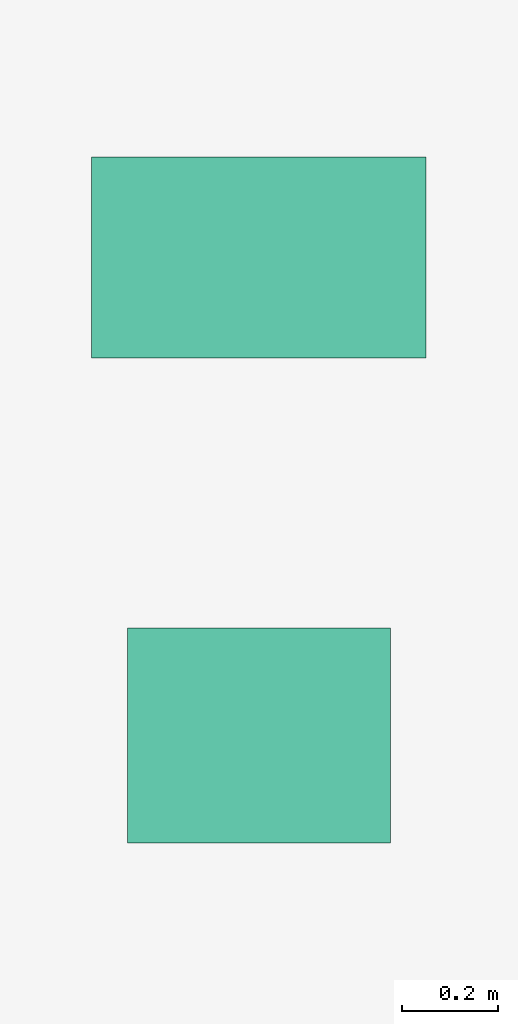
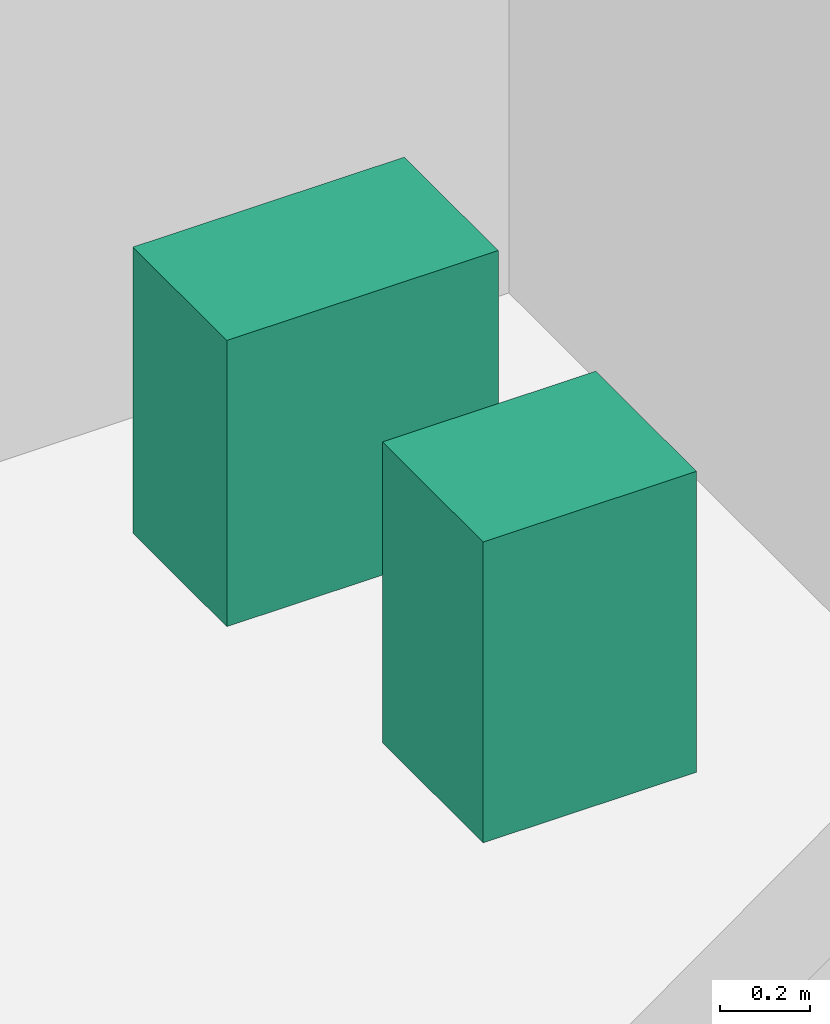
# One storey, part 37 of 37: 2 sanitary terminals.
"""IFC4 building model written with IfcOpenShell, lengths in metres."""

from ifc_helpers import new_model, si_unit, direction, frame, origin, origin_2d, place, context, subcontext, project, spatial, rectangle, extrude, source, transform, mapped, material, type_object, element, save


model = new_model("IFC4")

# Units and contexts
model_context = context("Model", 3, precision=1e-05, world=origin(), true_north=direction((0.0, 1.0)))
body_context = subcontext(model_context, "Body", "Model", "MODEL_VIEW")
ifc_project = project(units=[si_unit("LENGTHUNIT", "METRE"), si_unit("AREAUNIT", "SQUARE_METRE"), si_unit("VOLUMEUNIT", "CUBIC_METRE"), si_unit("PLANEANGLEUNIT", "RADIAN"), si_unit("MASSUNIT", "GRAM", prefix="KILO")], contexts=[model_context])

# Site, building, storey
site_placement = place(None, origin())
site = spatial("IfcSite", under=ifc_project, at=site_placement, CompositionType="ELEMENT")
building_placement = place(site_placement, origin())
building = spatial("IfcBuilding", under=site, at=building_placement, Name="Sumidabori Civic Tower", CompositionType="ELEMENT")
storey_placement = place(building_placement, frame((0.0, 0.0, 110.0)))
storey = spatial("IfcBuildingStorey", under=building, at=storey_placement, Name="L28", CompositionType="ELEMENT", Elevation=110.0)

# Sanitary terminals
ifc_material = material(Name="Vitreous Sanitary Porcelain")
sanitary_terminal_type_1 = type_object("IfcSanitaryTerminalType", Name="SN-WC-1", PredefinedType="TOILETPAN", material=ifc_material)
shared_shape_1 = source(origin(), body_context, "Body", "SweptSolid", [
    extrude(rectangle(XDim=0.699951171875, YDim=0.419921875, at=origin_2d()), origin(), (0.0, 0.0, 1.0), 0.780029296875),
])
sanitary_terminal_1_placement = place(storey_placement, frame((10.800048828125, 21.85009765625, 0.0), z_axis=(0.0, 0.0, 1.0), x_axis=(1.0, 0.0, 0.0)))
element("IfcSanitaryTerminal", 1, at=sanitary_terminal_1_placement, inside=storey, type_object=sanitary_terminal_type_1, Name="Accessible WC Pan L28", PredefinedType="TOILETPAN", context=body_context, shape_type="MappedRepresentation", body=[
    mapped(shared_shape_1, transform((0.0, 0.0, 0.0), x_axis=(1.0, 0.0, 0.0), y_axis=(0.0, 1.0, 0.0), z_axis=(0.0, 0.0, 1.0), scale=1.0)),
])
sanitary_terminal_type_2 = type_object("IfcSanitaryTerminalType", Name="SN-BAS-1", PredefinedType="WASHHANDBASIN", material=ifc_material)
shared_shape_2 = source(origin(), body_context, "Body", "SweptSolid", [
    extrude(rectangle(XDim=0.550048828125, YDim=0.449951171875, at=origin_2d()), origin(), (0.0, 0.0, 1.0), 0.820068359375),
])
sanitary_terminal_2_placement = place(storey_placement, frame((10.800048828125, 20.85009765625, 0.0), z_axis=(0.0, 0.0, 1.0), x_axis=(1.0, 0.0, 0.0)))
element("IfcSanitaryTerminal", 2, at=sanitary_terminal_2_placement, inside=storey, type_object=sanitary_terminal_type_2, Name="Accessible Basin L28", PredefinedType="WASHHANDBASIN", context=body_context, shape_type="MappedRepresentation", body=[
    mapped(shared_shape_2, transform((0.0, 0.0, 0.0), x_axis=(1.0, 0.0, 0.0), y_axis=(0.0, 1.0, 0.0), z_axis=(0.0, 0.0, 1.0), scale=1.0)),
])

save(model, "model.ifc")
